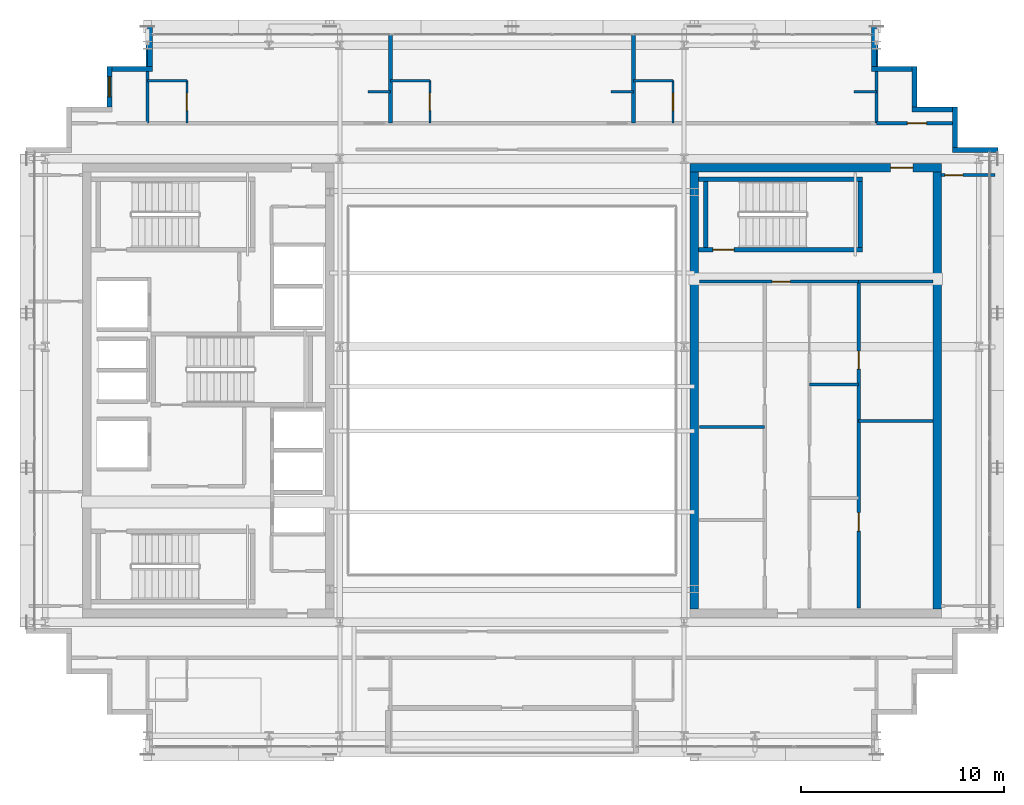
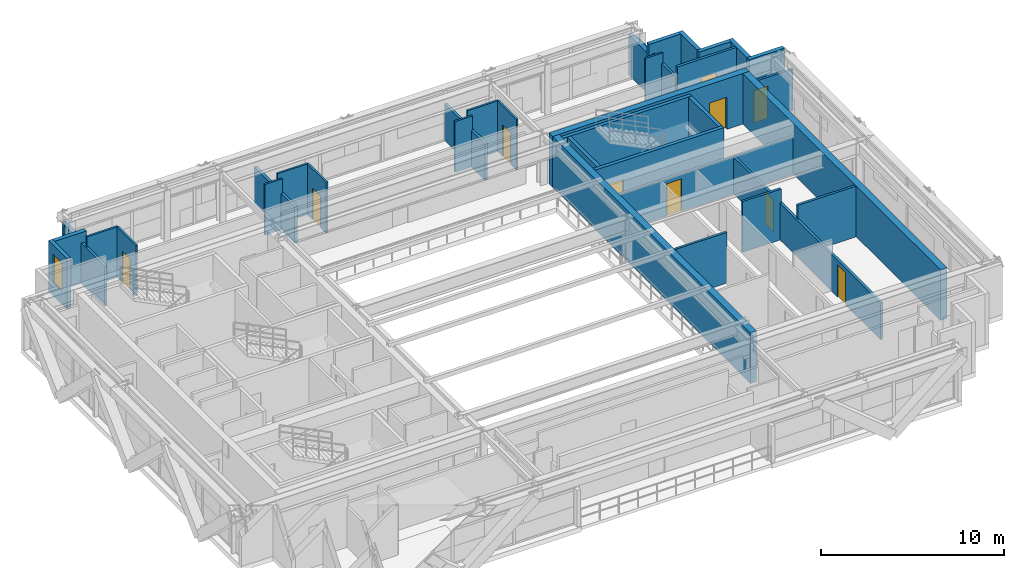
# One storey, part 24 of 29: 37 walls, 10 doors, 1 window, 11 openings.
"""IFC4 building model written with IfcOpenShell, lengths in metres."""

import ifcopenshell
import ifcopenshell.guid

model = None  # the IFC model being written
_history = None  # IfcOwnerHistory: only IFC2X3 demands one
_inside = {}  # id of a spatial element -> (the spatial element, [elements in it])
_under = {}  # id of a project, library or spatial element -> (it, [spatial elements below it])
_declared = {}  # id of a project -> (the project, [libraries it declares])
_typed = {}  # id of a type object -> (the type object, [elements of that type])
_made_of = {}  # id of a material, layer set ... -> (it, [elements and type objects made of it])


def new_model(schema):
    """Start an empty IFC model of exactly this schema.

    Asked for "IFC4X3", IfcOpenShell would pick the latest addendum, in which some entities
    have other attributes; the version numbers below select the first issue.
    IFC2X3 requires an IfcOwnerHistory on every rooted entity: one is made here for all.
    """
    global model, _history
    if schema == "IFC4X3":
        model = ifcopenshell.file(schema_version=(4, 3, 0, 0))
    else:
        model = ifcopenshell.file(schema=schema)
    _inside.clear()
    _under.clear()
    _declared.clear()
    _typed.clear()
    _made_of.clear()
    _history = None
    if model.schema == "IFC2X3":
        org = make("IfcOrganization", Name="unknown")
        user = make(
            "IfcPersonAndOrganization",
            ThePerson=make("IfcPerson", FamilyName="unknown"),
            TheOrganization=org,
        )
        app = make(
            "IfcApplication",
            ApplicationDeveloper=org,
            Version="unknown",
            ApplicationFullName="unknown",
            ApplicationIdentifier="unknown",
        )
        _history = make(
            "IfcOwnerHistory",
            OwningUser=user,
            OwningApplication=app,
            ChangeAction="ADDED",
            CreationDate=0,
        )
    return model


def make(cls, **values):
    """One entity of the class cls with the attributes given. An attribute that is None is left unset."""
    return model.create_entity(
        cls, **{name: value for name, value in values.items() if value is not None}
    )


def rooted(cls, **values):
    """An entity with a GlobalId (a new one), such as an element, a storey or a relation."""
    return make(cls, GlobalId=ifcopenshell.guid.new(), OwnerHistory=_history, **values)


def si_unit(unit_type, name, prefix=None):
    """IfcSIUnit, for example si_unit("LENGTHUNIT", "METRE", prefix="MILLI")."""
    return make("IfcSIUnit", UnitType=unit_type, Prefix=prefix, Name=name)


def assignment(units):
    """IfcUnitAssignment: the units of a project."""
    return None if units is None else make("IfcUnitAssignment", Units=units)


def point(xyz):
    """IfcCartesianPoint."""
    return None if xyz is None else make("IfcCartesianPoint", Coordinates=xyz)


def direction(xyz):
    """IfcDirection."""
    return None if xyz is None else make("IfcDirection", DirectionRatios=xyz)


def frame(location, z_axis=None, x_axis=None):
    """IfcAxis2Placement3D, a coordinate frame: its origin and axes. An axis left out is left unset."""
    return make(
        "IfcAxis2Placement3D",
        Location=point(location),
        Axis=direction(z_axis),
        RefDirection=direction(x_axis),
    )


def frame_2d(location, x_axis=None):
    """IfcAxis2Placement2D, a coordinate frame in the plane: its origin and x axis."""
    return make(
        "IfcAxis2Placement2D", Location=point(location), RefDirection=direction(x_axis)
    )


def origin():
    """The frame at (0, 0, 0) with its axes left unset."""
    return frame((0.0, 0.0, 0.0))


def place(relative_to, where):
    """IfcLocalPlacement: puts the frame where relative to a parent placement (None: the world)."""
    return make(
        "IfcLocalPlacement", PlacementRelTo=relative_to, RelativePlacement=where
    )


def context(
    kind, dimensions, precision=None, world=None, true_north=None, identifier=None
):
    """IfcGeometricRepresentationContext, for example the 3D "Model" context."""
    return make(
        "IfcGeometricRepresentationContext",
        ContextIdentifier=identifier,
        ContextType=kind,
        CoordinateSpaceDimension=dimensions,
        Precision=precision,
        WorldCoordinateSystem=world,
        TrueNorth=true_north,
    )


def subcontext(parent, identifier, kind, view, scale=None):
    """IfcGeometricRepresentationSubContext, for example "Body" below "Model"."""
    return make(
        "IfcGeometricRepresentationSubContext",
        ContextIdentifier=identifier,
        ContextType=kind,
        ParentContext=parent,
        TargetScale=scale,
        TargetView=view,
    )


def project(units=None, contexts=None):
    """IfcProject with its units and contexts."""
    return rooted(
        "IfcProject",
        Name="project",
        RepresentationContexts=contexts,
        UnitsInContext=assignment(units),
    )


def spatial(cls, under=None, at=None, **own):
    """A site, building, storey or space (cls), placed at a placement, below another one or the project."""
    s = rooted(cls, ObjectPlacement=at, **own)
    if under is not None:
        _under.setdefault(under.id(), (under, []))[1].append(s)
    return s


def profile(cls, at=None, kind="AREA", **sizes):
    """A parametric profile (cls). Its sizes go by their IFC names, for example OverallWidth=200.0."""
    return make(cls, ProfileType=kind, Position=at, **sizes)


def rectangle(**sizes):
    """IfcRectangleProfileDef."""
    return profile("IfcRectangleProfileDef", **sizes)


def extrude(swept, where, along, depth):
    """IfcExtrudedAreaSolid: the profile swept, set in the frame where, extruded along a direction by depth."""
    return make(
        "IfcExtrudedAreaSolid",
        SweptArea=swept,
        Position=where,
        ExtrudedDirection=direction(along),
        Depth=depth,
    )


def shape(context_of_items, identifier, shape_type, items):
    """IfcShapeRepresentation: the items that make up one representation, for example the "Body"."""
    return make(
        "IfcShapeRepresentation",
        ContextOfItems=context_of_items,
        RepresentationIdentifier=identifier,
        RepresentationType=shape_type,
        Items=items,
    )


def source(mapping_origin, context_of_items, identifier, shape_type, items):
    """IfcRepresentationMap: a shape defined once, which mapped items show again and again."""
    return make(
        "IfcRepresentationMap",
        MappingOrigin=mapping_origin,
        MappedRepresentation=shape(context_of_items, identifier, shape_type, items),
    )


def transform(
    local_origin,
    x_axis=None,
    y_axis=None,
    z_axis=None,
    scale=None,
    scale2=None,
    scale3=None,
    uniform=True,
):
    """IfcCartesianTransformationOperator3D, or its non-uniform kind. x_axis, y_axis, z_axis: its Axis1, 2, 3."""
    if uniform:
        return make(
            "IfcCartesianTransformationOperator3D",
            Axis1=direction(x_axis),
            Axis2=direction(y_axis),
            LocalOrigin=point(local_origin),
            Scale=scale,
            Axis3=direction(z_axis),
        )
    return make(
        "IfcCartesianTransformationOperator3DnonUniform",
        Axis1=direction(x_axis),
        Axis2=direction(y_axis),
        LocalOrigin=point(local_origin),
        Scale=scale,
        Axis3=direction(z_axis),
        Scale2=scale2,
        Scale3=scale3,
    )


def mapped(mapping_source, mapping_target):
    """IfcMappedItem: shows the shape of a source again, moved by a transform."""
    return make(
        "IfcMappedItem", MappingSource=mapping_source, MappingTarget=mapping_target
    )


def material(Name=None, Category=None):
    """IfcMaterial."""
    return make("IfcMaterial", Name=Name, Category=Category)


def layer(
    of_material, thickness, ventilated=None, Name=None, Category=None, Priority=None
):
    """IfcMaterialLayer: one layer of a wall or slab, of a material (None: an air gap)."""
    return make(
        "IfcMaterialLayer",
        Material=of_material,
        LayerThickness=thickness,
        IsVentilated=ventilated,
        Name=Name,
        Category=Category,
        Priority=Priority,
    )


def layer_set(layers, Name=None):
    """IfcMaterialLayerSet."""
    return make("IfcMaterialLayerSet", MaterialLayers=layers, LayerSetName=Name)


def made_of(thing, what):
    """Note that an element or type object is made of a material, layer set ...; save() writes the relation."""
    if what is not None:
        _made_of.setdefault(what.id(), (what, []))[1].append(thing)
    return thing


def type_object(cls, material=None, **own):
    """A type object (cls), such as IfcWallType, which elements share."""
    return made_of(rooted(cls, **own), material)


def element(
    cls,
    number,
    at=None,
    inside=None,
    cuts=None,
    type_object=None,
    material=None,
    context=None,
    identifier="Body",
    shape_type=None,
    held_by="IfcProductDefinitionShape",
    body=None,
    shapes=None,
    **own,
):
    """One element of the class cls, such as IfcWall. Its Tag is "e" and its number.

    at: its placement. inside: the storey or other place that contains it. cuts: it is an
    opening in that element (IfcRelVoidsElement). A single representation is given by context,
    identifier, shape_type and body (its items); several are given by shapes. held_by: the class
    of the entity that holds the representations. save() writes the other relations.
    """
    e = rooted(cls, Tag="e%d" % number, ObjectPlacement=at, **own)
    if body is not None:
        shapes = [shape(context, identifier, shape_type, body)]
    if shapes is not None:
        e.Representation = make(held_by, Representations=shapes)
    if inside is not None:
        _inside.setdefault(inside.id(), (inside, []))[1].append(e)
    if cuts is not None:
        rooted(
            "IfcRelVoidsElement", RelatingBuildingElement=cuts, RelatedOpeningElement=e
        )
    if type_object is not None:
        _typed.setdefault(type_object.id(), (type_object, []))[1].append(e)
    return made_of(e, material)


def fill(opening, filler):
    """IfcRelFillsElement: the door or window that sits in an opening."""
    return rooted(
        "IfcRelFillsElement",
        RelatingOpeningElement=opening,
        RelatedBuildingElement=filler,
    )


def aggregate(whole, parts):
    """IfcRelAggregates: a whole, such as a stair, and the parts it consists of."""
    return rooted("IfcRelAggregates", RelatingObject=whole, RelatedObjects=parts)


def save(model, path):
    """Write the relations noted so far, then the file.

    IfcRelAggregates (storeys below a building ...), IfcRelContainedInSpatialStructure (elements
    in a storey), IfcRelDefinesByType, IfcRelAssociatesMaterial and IfcRelDeclares: one each for
    every whole, place, type object, material and project.
    """
    for whole, parts in _under.values():
        aggregate(whole, parts)
    for where, things in _inside.values():
        rooted(
            "IfcRelContainedInSpatialStructure",
            RelatedElements=things,
            RelatingStructure=where,
        )
    for kind, things in _typed.values():
        rooted("IfcRelDefinesByType", RelatedObjects=things, RelatingType=kind)
    for what, things in _made_of.values():
        rooted("IfcRelAssociatesMaterial", RelatedObjects=things, RelatingMaterial=what)
    for by, libraries in _declared.values():
        rooted("IfcRelDeclares", RelatingContext=by, RelatedDefinitions=libraries)
    model.write(path)


model = new_model("IFC4")

# Units and contexts
model_context = context("Model", 3, precision=1e-05, world=origin(), true_north=direction((0.0, 1.0)))
body_context = subcontext(model_context, "Body", "Model", "MODEL_VIEW")
ifc_project = project(units=[si_unit("LENGTHUNIT", "METRE"), si_unit("AREAUNIT", "SQUARE_METRE"), si_unit("VOLUMEUNIT", "CUBIC_METRE"), si_unit("PLANEANGLEUNIT", "RADIAN"), si_unit("MASSUNIT", "GRAM", prefix="KILO")], contexts=[model_context])

# Site, building, storey
site_placement = place(None, origin())
site = spatial("IfcSite", under=ifc_project, at=site_placement, CompositionType="ELEMENT")
building_placement = place(site_placement, origin())
building = spatial("IfcBuilding", under=site, at=building_placement, Name="Ocotamira Hotel", CompositionType="ELEMENT")
storey_placement = place(building_placement, frame((0.0, 0.0, 247.199951171875)))
storey = spatial("IfcBuildingStorey", under=building, at=storey_placement, Name="L62", CompositionType="ELEMENT", Elevation=247.199951171875)

# Wall, opening, door
ifc_material_1 = material(Name="Concrete C50/60", Category="concrete")
ifc_layer_1 = layer(ifc_material_1, 0.39990234375)
ifc_layer_set_1 = layer_set([ifc_layer_1], Name="Concrete C50/60")
wall_type_1 = type_object("IfcWallType", Name="WL-CORE-400", PredefinedType="SHEAR", material=ifc_layer_set_1)
wall_1_placement = place(storey_placement, frame((40.800048828125, 37.0, 0.0), z_axis=(0.0, 0.0, 1.0), x_axis=(1.0, 0.0, 0.0)))
wall_1 = element("IfcWall", 1, at=wall_1_placement, inside=storey, type_object=wall_type_1, Name="L62 Shear Core Wall ECORE-N", PredefinedType="SHEAR", context=body_context, shape_type="SweptSolid", body=[
    extrude(rectangle(XDim=12.39990234375, YDim=0.39990234375, at=frame_2d((6.199951171875, 0.0))), origin(), (0.0, 0.0, 1.0), 3.380126953125),
])
opening_1_placement = place(wall_1_placement, frame((9.89990234375, 0.0, 0.0)))
opening_1 = element("IfcOpeningElement", 2, at=opening_1_placement, cuts=wall_1, Name="Opening D-FR1", PredefinedType="OPENING", context=body_context, shape_type="SweptSolid", body=[
    extrude(rectangle(XDim=1.10009765625, YDim=2.14990234375, at=frame_2d((0.550048828125, 1.074951171875))), frame((0.0, 0.2099609375, 0.0), z_axis=(0.0, -1.0, 0.0), x_axis=(1.0, 0.0, 0.0)), (0.0, 0.0, 1.0), 0.419921875),
])
ifc_material_2 = material(Name="Fire-rated acoustic timber-veneer door", Category="wood")
door_type_1 = type_object("IfcDoorType", Name="DR-FIRE-1100", OperationType="NOTDEFINED", PredefinedType="DOOR", material=ifc_material_2)
shared_shape_1 = source(origin(), body_context, "Body", "SweptSolid", [
    extrude(rectangle(XDim=1.10009765625, YDim=2.14990234375, at=frame_2d((0.550048828125, 1.074951171875))), frame((0.0, 0.02490234375, 0.0), z_axis=(0.0, -1.0, 0.0), x_axis=(1.0, 0.0, 0.0)), (0.0, 0.0, 1.0), 0.050048828125),
])
door_1_placement = place(opening_1_placement, origin())
door_1 = element("IfcDoor", 3, at=door_1_placement, inside=storey, type_object=door_type_1, Name="L62 Door ID-L62-ELOB-N-D [ID-L62-ELOB-N-D]", OperationType="SINGLE_SWING_LEFT", OverallHeight=2.14990234375, OverallWidth=1.10009765625, PredefinedType="DOOR", context=body_context, shape_type="MappedRepresentation", body=[
    mapped(shared_shape_1, transform((0.0, 0.0, 0.0), scale=1.0)),
])
fill(opening_1, door_1)

# Walls
for number, where, z_axis, x_axis, name in (
    (4, (41.0, 15.199951171875, 0.0), (0.0, 0.0, 1.0), (0.0, 1.0, 0.0), "L62 Shear Core Wall ECORE-W"),
    (5, (53.0, 15.199951171875, 0.0), (0.0, 0.0, 1.0), (0.0, 1.0, 0.0), "L62 Shear Core Wall ECORE-E"),
):
    element("IfcWall", number, at=place(storey_placement, frame(where, z_axis=z_axis, x_axis=x_axis)), inside=storey, type_object=wall_type_1, Name=name, PredefinedType="SHEAR", context=body_context, shape_type="SweptSolid", body=[
        extrude(rectangle(XDim=21.60009765625, YDim=0.39990234375, at=frame_2d((10.800048828125, 0.0))), origin(), (0.0, 0.0, 1.0), 3.380126953125),
    ])
ifc_material_3 = material(Name="Precast concrete C45/55", Category="concrete")
ifc_layer_2 = layer(ifc_material_3, 0.25)
ifc_layer_set_2 = layer_set([ifc_layer_2], Name="Precast concrete C45/55")
wall_type_2 = type_object("IfcWallType", Name="WL-EXT-SER-250", PredefinedType="SOLIDWALL", material=ifc_layer_set_2)
wall_2_placement = place(storey_placement, frame((56.0, 37.875, 0.0), z_axis=(0.0, 0.0, 1.0), x_axis=(-1.0, 0.0, 0.0)))
element("IfcWall", 6, at=wall_2_placement, inside=storey, type_object=wall_type_2, Name="L62 Serrated Corner Wall 07", PredefinedType="SOLIDWALL", context=body_context, shape_type="SweptSolid", body=[
    extrude(rectangle(XDim=2.25, YDim=0.25, at=frame_2d((1.125, 0.0))), origin(), (0.0, 0.0, 1.0), 3.380126953125),
])
for number, where, z_axis, x_axis, name in (
    (7, (53.875, 38.0, 0.0), (0.0, 0.0, 1.0), (0.0, 1.0, 0.0), "L62 Serrated Corner Wall 08"),
    (8, (53.75, 39.875, 0.0), (0.0, 0.0, 1.0), (-1.0, 0.0, 0.0), "L62 Serrated Corner Wall 09"),
    (9, (51.875, 40.0, 0.0), (0.0, 0.0, 1.0), (0.0, 1.0, 0.0), "L62 Serrated Corner Wall 10"),
    (10, (51.75, 41.875, 0.0), (0.0, 0.0, 1.0), (-1.0, 0.0, 0.0), "L62 Serrated Corner Wall 11"),
):
    element("IfcWall", number, at=place(storey_placement, frame(where, z_axis=z_axis, x_axis=x_axis)), inside=storey, type_object=wall_type_2, Name=name, PredefinedType="SOLIDWALL", context=body_context, shape_type="SweptSolid", body=[
        extrude(rectangle(XDim=2.0, YDim=0.25, at=frame_2d((1.0, 0.0))), origin(), (0.0, 0.0, 1.0), 3.380126953125),
    ])
for number, where, z_axis, x_axis, name in (
    (11, (49.875, 42.0, 0.0), (0.0, 0.0, 1.0), (0.0, 1.0, 0.0), "L62 Serrated Corner Wall 12"),
    (12, (14.125, 44.0, 0.0), (0.0, 0.0, 1.0), (0.0, -1.0, 0.0), "L62 Serrated Corner Wall 13"),
):
    element("IfcWall", number, at=place(storey_placement, frame(where, z_axis=z_axis, x_axis=x_axis)), inside=storey, type_object=wall_type_2, Name=name, PredefinedType="SOLIDWALL", context=body_context, shape_type="SweptSolid", body=[
        extrude(rectangle(XDim=2.0, YDim=0.25, at=frame_2d((1.0, 0.0))), origin(), (0.0, 0.0, 1.0), 2.68701171875),
    ])
wall_3_placement = place(storey_placement, frame((14.25, 41.875, 0.0), z_axis=(0.0, 0.0, 1.0), x_axis=(-1.0, 0.0, 0.0)))
element("IfcWall", 13, at=wall_3_placement, inside=storey, type_object=wall_type_2, Name="L62 Serrated Corner Wall 14", PredefinedType="SOLIDWALL", context=body_context, shape_type="SweptSolid", body=[
    extrude(rectangle(XDim=2.0, YDim=0.25, at=frame_2d((1.0, 0.0))), origin(), (0.0, 0.0, 1.0), 3.380126953125),
])

# Wall, opening, window
wall_4_placement = place(storey_placement, frame((12.125, 42.0, 0.0), z_axis=(0.0, 0.0, 1.0), x_axis=(0.0, -1.0, 0.0)))
wall_4 = element("IfcWall", 14, at=wall_4_placement, inside=storey, type_object=wall_type_2, Name="L62 Serrated Corner Wall 15", PredefinedType="SOLIDWALL", context=body_context, shape_type="SweptSolid", body=[
    extrude(rectangle(XDim=2.0, YDim=0.25, at=frame_2d((1.0, 0.0))), origin(), (0.0, 0.0, 1.0), 3.380126953125),
])
opening_2_placement = place(wall_4_placement, frame((0.5, 0.0, 0.85009765625)))
opening_2 = element("IfcOpeningElement", 15, at=opening_2_placement, cuts=wall_4, Name="Opening WN-2", PredefinedType="OPENING", context=body_context, shape_type="SweptSolid", body=[
    extrude(rectangle(XDim=1.0, YDim=1.89990234375, at=frame_2d((0.5, 0.949951171875))), frame((0.0, 0.135009765625, 0.0), z_axis=(0.0, -1.0, 0.0), x_axis=(1.0, 0.0, 0.0)), (0.0, 0.0, 1.0), 0.27001953125),
])
ifc_material_4 = material(Name="Double-silver low-E solar glass", Category="glass")
window_type = type_object("IfcWindowType", Name="WIN-SER-1100", PartitioningType="SINGLE_PANEL", PredefinedType="WINDOW", material=ifc_material_4)
shared_shape_2 = source(origin(), body_context, "Body", "SweptSolid", [
    extrude(rectangle(XDim=1.0, YDim=1.89990234375, at=frame_2d((0.5, 0.949951171875))), frame((0.0, 0.030029296875, 0.0), z_axis=(0.0, -1.0, 0.0), x_axis=(1.0, 0.0, 0.0)), (0.0, 0.0, 1.0), 0.06005859375),
])
window_placement = place(opening_2_placement, origin())
window = element("IfcWindow", 16, at=window_placement, inside=storey, type_object=window_type, Name="L62 Serrated Corner Window 15", OverallHeight=1.89990234375, OverallWidth=1.0, PartitioningType="SINGLE_PANEL", PredefinedType="WINDOW", context=body_context, shape_type="MappedRepresentation", body=[
    mapped(shared_shape_2, transform((0.0, 0.0, 0.0), scale=1.0)),
])
fill(opening_2, window)

# Wall
ifc_material_5 = material(Name="Acoustic double-layer fire gypsum board partition", Category="gypsum")
ifc_layer_3 = layer(ifc_material_5, 0.159912109375)
ifc_layer_set_3 = layer_set([ifc_layer_3], Name="Acoustic double-layer fire gypsum board partition")
wall_type_3 = type_object("IfcWallType", Name="WL-FIRE-160", PredefinedType="PARTITIONING", material=ifc_layer_set_3)
wall_5_placement = place(storey_placement, frame((49.1201171875, 31.3798828125, 0.0), z_axis=(0.0, 0.0, 1.0), x_axis=(1.0, 0.0, 0.0)))
element("IfcWall", 17, at=wall_5_placement, inside=storey, type_object=wall_type_3, Name="L62 Interior Wall PW-L62-EC-FLOW-N", PredefinedType="PARTITIONING", context=body_context, shape_type="SweptSolid", body=[
    extrude(rectangle(XDim=3.679931640625, YDim=0.159912109375, at=frame_2d((1.83984375, 0.0))), origin(), (0.0, 0.0, 1.0), 2.47998046875),
])

# Wall, openings, doors
wall_6_placement = place(storey_placement, frame((49.1201171875, 15.25, 0.0), z_axis=(0.0, 0.0, 1.0), x_axis=(0.0, 1.0, 0.0)))
wall_6 = element("IfcWall", 18, at=wall_6_placement, inside=storey, type_object=wall_type_3, Name="L62 Interior Wall PW-L62-EC-FLOW-W", PredefinedType="PARTITIONING", context=body_context, shape_type="SweptSolid", body=[
    extrude(rectangle(XDim=16.1298828125, YDim=0.159912109375, at=frame_2d((8.06494140625, 0.0))), origin(), (0.0, 0.0, 1.0), 2.453125),
])
opening_3_placement = place(wall_6_placement, frame((3.800048828125, 0.0, 0.0)))
opening_3 = element("IfcOpeningElement", 19, at=opening_3_placement, cuts=wall_6, Name="Opening D-SV3", PredefinedType="OPENING", context=body_context, shape_type="SweptSolid", body=[
    extrude(rectangle(XDim=0.919921875, YDim=2.14990234375, at=frame_2d((0.4599609375, 1.074951171875))), frame((0.0, 0.08984375, 0.0), z_axis=(0.0, -1.0, 0.0), x_axis=(1.0, 0.0, 0.0)), (0.0, 0.0, 1.0), 0.179931640625),
])
opening_4_placement = place(wall_6_placement, frame((11.800048828125, 0.0, 0.0)))
opening_4 = element("IfcOpeningElement", 20, at=opening_4_placement, cuts=wall_6, Name="Opening D-IN3", PredefinedType="OPENING", context=body_context, shape_type="SweptSolid", body=[
    extrude(rectangle(XDim=0.89990234375, YDim=2.14990234375, at=frame_2d((0.449951171875, 1.074951171875))), frame((0.0, 0.08984375, 0.0), z_axis=(0.0, -1.0, 0.0), x_axis=(1.0, 0.0, 0.0)), (0.0, 0.0, 1.0), 0.179931640625),
])
ifc_material_6 = material(Name="Painted service room door", Category="steel")
door_type_2 = type_object("IfcDoorType", Name="DR-INT-900", OperationType="NOTDEFINED", PredefinedType="DOOR", material=ifc_material_6)
shared_shape_3 = source(origin(), body_context, "Body", "SweptSolid", [
    extrude(rectangle(XDim=0.89990234375, YDim=2.14990234375, at=frame_2d((0.449951171875, 1.074951171875))), frame((0.0, 0.02490234375, 0.0), z_axis=(0.0, -1.0, 0.0), x_axis=(1.0, 0.0, 0.0)), (0.0, 0.0, 1.0), 0.050048828125),
])
door_2_placement = place(opening_4_placement, origin())
door_2 = element("IfcDoor", 21, at=door_2_placement, inside=storey, type_object=door_type_2, Name="L62 Door ID-L62-EC-FLOW-DB [ID-L62-EC-FLOW-DB]", OperationType="SINGLE_SWING_RIGHT", OverallHeight=2.14990234375, OverallWidth=0.89990234375, PredefinedType="DOOR", context=body_context, shape_type="MappedRepresentation", body=[
    mapped(shared_shape_3, transform((0.0, 0.0, 0.0), scale=1.0)),
])
fill(opening_4, door_2)
ifc_material_7 = material(Name="Fire-rated walnut hospitality door", Category="wood")
door_type_3 = type_object("IfcDoorType", Name="DR-SERV-920", OperationType="NOTDEFINED", PredefinedType="DOOR", material=ifc_material_7)
shared_shape_4 = source(origin(), body_context, "Body", "SweptSolid", [
    extrude(rectangle(XDim=0.919921875, YDim=2.14990234375, at=frame_2d((0.4599609375, 1.074951171875))), frame((0.0, 0.02490234375, 0.0), z_axis=(0.0, -1.0, 0.0), x_axis=(1.0, 0.0, 0.0)), (0.0, 0.0, 1.0), 0.050048828125),
])
door_3_placement = place(opening_3_placement, origin())
door_3 = element("IfcDoor", 22, at=door_3_placement, inside=storey, type_object=door_type_3, Name="L62 Door ID-L62-EC-FLOW-DA [ID-L62-EC-FLOW-DA]", OperationType="SINGLE_SWING_LEFT", OverallHeight=2.14990234375, OverallWidth=0.919921875, PredefinedType="DOOR", context=body_context, shape_type="MappedRepresentation", body=[
    mapped(shared_shape_4, transform((0.0, 0.0, 0.0), scale=1.0)),
])
fill(opening_3, door_3)

# Wall, opening, door
wall_7_placement = place(storey_placement, frame((50.0, 39.199951171875, 0.0), z_axis=(0.0, 0.0, 1.0), x_axis=(1.0, 0.0, 0.0)))
wall_7 = element("IfcWall", 23, at=wall_7_placement, inside=storey, type_object=wall_type_3, Name="L62 Interior Wall PW-L62-Z4CNE-CW", PredefinedType="PARTITIONING", context=body_context, shape_type="SweptSolid", body=[
    extrude(rectangle(XDim=4.0, YDim=0.159912109375, at=frame_2d((2.0, 0.0))), origin(), (0.0, 0.0, 1.0), 3.380126953125),
])
opening_5_placement = place(wall_7_placement, frame((1.52001953125, 0.0, 0.0)))
opening_5 = element("IfcOpeningElement", 24, at=opening_5_placement, cuts=wall_7, Name="Opening D-SV4", PredefinedType="OPENING", context=body_context, shape_type="SweptSolid", body=[
    extrude(rectangle(XDim=0.9599609375, YDim=2.14990234375, at=frame_2d((0.47998046875, 1.074951171875))), frame((0.0, 0.08984375, 0.0), z_axis=(0.0, -1.0, 0.0), x_axis=(1.0, 0.0, 0.0)), (0.0, 0.0, 1.0), 0.179931640625),
])
ifc_material_8 = material(Name="Fire-rated accessible walnut salon door", Category="wood")
door_type_4 = type_object("IfcDoorType", Name="DR-SERV-960", OperationType="NOTDEFINED", PredefinedType="DOOR", material=ifc_material_8)
shared_shape_5 = source(origin(), body_context, "Body", "SweptSolid", [
    extrude(rectangle(XDim=0.9599609375, YDim=2.14990234375, at=frame_2d((0.47998046875, 1.074951171875))), frame((0.0, 0.02490234375, 0.0), z_axis=(0.0, -1.0, 0.0), x_axis=(1.0, 0.0, 0.0)), (0.0, 0.0, 1.0), 0.050048828125),
])
door_4_placement = place(opening_5_placement, origin())
door_4 = element("IfcDoor", 25, at=door_4_placement, inside=storey, type_object=door_type_4, Name="L62 Door ID-L62-Z4CNE-CD [ID-L62-Z4CNE-CD]", OperationType="SINGLE_SWING_LEFT", OverallHeight=2.14990234375, OverallWidth=0.9599609375, PredefinedType="DOOR", context=body_context, shape_type="MappedRepresentation", body=[
    mapped(shared_shape_5, transform((0.0, 0.0, 0.0), scale=1.0)),
])
fill(opening_5, door_4)

ifc_material_9 = material(Name="Moisture-resistant en-suite tile and gypsum partition", Category="gypsum")
ifc_layer_4 = layer(ifc_material_9, 0.1201171875)
ifc_layer_set_4 = layer_set([ifc_layer_4], Name="Moisture-resistant en-suite tile and gypsum partition")
wall_type_4 = type_object("IfcWallType", Name="WL-PART-120", PredefinedType="PARTITIONING", material=ifc_layer_set_4)
wall_8_placement = place(storey_placement, frame((15.949951171875, 39.199951171875, 0.0), z_axis=(0.0, 0.0, 1.0), x_axis=(0.0, 1.0, 0.0)))
wall_8 = element("IfcWall", 26, at=wall_8_placement, inside=storey, type_object=wall_type_4, Name="L62 Interior Wall PW-L62-Z4CN-BAE1", PredefinedType="PARTITIONING", context=body_context, shape_type="SweptSolid", body=[
    extrude(rectangle(XDim=2.10009765625, YDim=0.1201171875, at=frame_2d((1.050048828125, 0.0))), origin(), (0.0, 0.0, 1.0), 3.380126953125),
])
opening_6_placement = place(wall_8_placement, frame((0.6201171875, 0.0, 0.0)))
opening_6 = element("IfcOpeningElement", 27, at=opening_6_placement, cuts=wall_8, Name="Opening D-BA1", PredefinedType="OPENING", context=body_context, shape_type="SweptSolid", body=[
    extrude(rectangle(XDim=0.860107421875, YDim=2.10009765625, at=frame_2d((0.43017578125, 1.050048828125))), frame((0.0, 0.070068359375, 0.0), z_axis=(0.0, -1.0, 0.0), x_axis=(1.0, 0.0, 0.0)), (0.0, 0.0, 1.0), 0.14013671875),
])
ifc_material_10 = material(Name="Moisture-sealed en-suite timber door", Category="wood")
door_type_5 = type_object("IfcDoorType", Name="DR-BATH-860", OperationType="NOTDEFINED", PredefinedType="DOOR", material=ifc_material_10)
shared_shape_6 = source(origin(), body_context, "Body", "SweptSolid", [
    extrude(rectangle(XDim=0.860107421875, YDim=2.10009765625, at=frame_2d((0.43017578125, 1.050048828125))), frame((0.0, 0.02490234375, 0.0), z_axis=(0.0, -1.0, 0.0), x_axis=(1.0, 0.0, 0.0)), (0.0, 0.0, 1.0), 0.050048828125),
])
door_5_placement = place(opening_6_placement, origin())
door_5 = element("IfcDoor", 28, at=door_5_placement, inside=storey, type_object=door_type_5, Name="L62 Door ID-L62-Z4CN-BAD1 [ID-L62-Z4CN-BAD1]", OperationType="SINGLE_SWING_RIGHT", OverallHeight=2.10009765625, OverallWidth=0.860107421875, PredefinedType="DOOR", context=body_context, shape_type="MappedRepresentation", body=[
    mapped(shared_shape_6, transform((0.0, 0.0, 0.0), scale=1.0)),
])
fill(opening_6, door_5)

# Walls
wall_9_placement = place(storey_placement, frame((14.0, 41.300048828125, 0.0), z_axis=(0.0, 0.0, 1.0), x_axis=(1.0, 0.0, 0.0)))
element("IfcWall", 29, at=wall_9_placement, inside=storey, type_object=wall_type_4, Name="L62 Interior Wall PW-L62-Z4CN-BAN1", PredefinedType="PARTITIONING", context=body_context, shape_type="SweptSolid", body=[
    extrude(rectangle(XDim=1.949951171875, YDim=0.1201171875, at=frame_2d((0.97509765625, 0.0))), origin(), (0.0, 0.0, 1.0), 3.380126953125),
])
wall_10_placement = place(storey_placement, frame((24.89990234375, 40.75, 0.0), z_axis=(0.0, 0.0, 1.0), x_axis=(1.0, 0.0, 0.0)))
element("IfcWall", 30, at=wall_10_placement, inside=storey, type_object=wall_type_4, Name="L62 Interior Wall PW-L62-Z4CN-DRN1", PredefinedType="PARTITIONING", context=body_context, shape_type="SweptSolid", body=[
    extrude(rectangle(XDim=1.10009765625, YDim=0.1201171875, at=frame_2d((0.550048828125, 0.0))), origin(), (0.0, 0.0, 1.0), 3.380126953125),
])

# Wall, opening, door
wall_11_placement = place(storey_placement, frame((27.949951171875, 39.199951171875, 0.0), z_axis=(0.0, 0.0, 1.0), x_axis=(0.0, 1.0, 0.0)))
wall_11 = element("IfcWall", 31, at=wall_11_placement, inside=storey, type_object=wall_type_4, Name="L62 Interior Wall PW-L62-Z4CN-BAE2", PredefinedType="PARTITIONING", context=body_context, shape_type="SweptSolid", body=[
    extrude(rectangle(XDim=2.10009765625, YDim=0.1201171875, at=frame_2d((1.050048828125, 0.0))), origin(), (0.0, 0.0, 1.0), 3.380126953125),
])
opening_7_placement = place(wall_11_placement, frame((0.6201171875, 0.0, 0.0)))
opening_7 = element("IfcOpeningElement", 32, at=opening_7_placement, cuts=wall_11, Name="Opening D-BA1", PredefinedType="OPENING", context=body_context, shape_type="SweptSolid", body=[
    extrude(rectangle(XDim=0.860107421875, YDim=2.10009765625, at=frame_2d((0.43017578125, 1.050048828125))), frame((0.0, 0.070068359375, 0.0), z_axis=(0.0, -1.0, 0.0), x_axis=(1.0, 0.0, 0.0)), (0.0, 0.0, 1.0), 0.14013671875),
])
door_6_placement = place(opening_7_placement, origin())
door_6 = element("IfcDoor", 33, at=door_6_placement, inside=storey, type_object=door_type_5, Name="L62 Door ID-L62-Z4CN-BAD2 [ID-L62-Z4CN-BAD2]", OperationType="SINGLE_SWING_LEFT", OverallHeight=2.10009765625, OverallWidth=0.860107421875, PredefinedType="DOOR", context=body_context, shape_type="MappedRepresentation", body=[
    mapped(shared_shape_6, transform((0.0, 0.0, 0.0), scale=1.0)),
])
fill(opening_7, door_6)

# Walls
wall_12_placement = place(storey_placement, frame((26.0, 41.300048828125, 0.0), z_axis=(0.0, 0.0, 1.0), x_axis=(1.0, 0.0, 0.0)))
element("IfcWall", 34, at=wall_12_placement, inside=storey, type_object=wall_type_4, Name="L62 Interior Wall PW-L62-Z4CN-BAN2", PredefinedType="PARTITIONING", context=body_context, shape_type="SweptSolid", body=[
    extrude(rectangle(XDim=1.949951171875, YDim=0.1201171875, at=frame_2d((0.97509765625, 0.0))), origin(), (0.0, 0.0, 1.0), 3.380126953125),
])
wall_13_placement = place(storey_placement, frame((36.89990234375, 40.75, 0.0), z_axis=(0.0, 0.0, 1.0), x_axis=(1.0, 0.0, 0.0)))
element("IfcWall", 35, at=wall_13_placement, inside=storey, type_object=wall_type_4, Name="L62 Interior Wall PW-L62-Z4CN-DRN2", PredefinedType="PARTITIONING", context=body_context, shape_type="SweptSolid", body=[
    extrude(rectangle(XDim=1.10009765625, YDim=0.1201171875, at=frame_2d((0.550048828125, 0.0))), origin(), (0.0, 0.0, 1.0), 3.380126953125),
])

# Wall, opening, door
wall_14_placement = place(storey_placement, frame((39.949951171875, 39.199951171875, 0.0), z_axis=(0.0, 0.0, 1.0), x_axis=(0.0, 1.0, 0.0)))
wall_14 = element("IfcWall", 36, at=wall_14_placement, inside=storey, type_object=wall_type_4, Name="L62 Interior Wall PW-L62-Z4CN-BAE3", PredefinedType="PARTITIONING", context=body_context, shape_type="SweptSolid", body=[
    extrude(rectangle(XDim=2.10009765625, YDim=0.1201171875, at=frame_2d((1.050048828125, 0.0))), origin(), (0.0, 0.0, 1.0), 3.380126953125),
])
opening_8_placement = place(wall_14_placement, frame((0.6201171875, 0.0, 0.0)))
opening_8 = element("IfcOpeningElement", 37, at=opening_8_placement, cuts=wall_14, Name="Opening D-BA1", PredefinedType="OPENING", context=body_context, shape_type="SweptSolid", body=[
    extrude(rectangle(XDim=0.860107421875, YDim=2.10009765625, at=frame_2d((0.43017578125, 1.050048828125))), frame((0.0, 0.070068359375, 0.0), z_axis=(0.0, -1.0, 0.0), x_axis=(1.0, 0.0, 0.0)), (0.0, 0.0, 1.0), 0.14013671875),
])
door_7_placement = place(opening_8_placement, origin())
door_7 = element("IfcDoor", 38, at=door_7_placement, inside=storey, type_object=door_type_5, Name="L62 Door ID-L62-Z4CN-BAD3 [ID-L62-Z4CN-BAD3]", OperationType="SINGLE_SWING_RIGHT", OverallHeight=2.10009765625, OverallWidth=0.860107421875, PredefinedType="DOOR", context=body_context, shape_type="MappedRepresentation", body=[
    mapped(shared_shape_6, transform((0.0, 0.0, 0.0), scale=1.0)),
])
fill(opening_8, door_7)

# Walls
wall_15_placement = place(storey_placement, frame((38.0, 41.300048828125, 0.0), z_axis=(0.0, 0.0, 1.0), x_axis=(1.0, 0.0, 0.0)))
element("IfcWall", 39, at=wall_15_placement, inside=storey, type_object=wall_type_4, Name="L62 Interior Wall PW-L62-Z4CN-BAN3", PredefinedType="PARTITIONING", context=body_context, shape_type="SweptSolid", body=[
    extrude(rectangle(XDim=1.949951171875, YDim=0.1201171875, at=frame_2d((0.97509765625, 0.0))), origin(), (0.0, 0.0, 1.0), 3.380126953125),
])
wall_16_placement = place(storey_placement, frame((48.89990234375, 40.75, 0.0), z_axis=(0.0, 0.0, 1.0), x_axis=(1.0, 0.0, 0.0)))
element("IfcWall", 40, at=wall_16_placement, inside=storey, type_object=wall_type_4, Name="L62 Interior Wall PW-L62-Z4CN-DRN3", PredefinedType="PARTITIONING", context=body_context, shape_type="SweptSolid", body=[
    extrude(rectangle(XDim=1.10009765625, YDim=0.1201171875, at=frame_2d((0.550048828125, 0.0))), origin(), (0.0, 0.0, 1.0), 3.380126953125),
])
ifc_material_11 = material(Name="Acoustic hospitality gypsum board partition", Category="gypsum")
ifc_layer_5 = layer(ifc_material_11, 0.14208984375)
ifc_layer_set_5 = layer_set([ifc_layer_5], Name="Acoustic hospitality gypsum board partition")
wall_type_5 = type_object("IfcWallType", Name="WL-PART-142", PredefinedType="PARTITIONING", material=ifc_layer_set_5)
wall_17_placement = place(storey_placement, frame((46.679931640625, 26.300048828125, 0.0), z_axis=(0.0, 0.0, 1.0), x_axis=(1.0, 0.0, 0.0)))
element("IfcWall", 41, at=wall_17_placement, inside=storey, type_object=wall_type_5, Name="L62 Interior Wall PW-L62-EC-HDIVB", PredefinedType="PARTITIONING", context=body_context, shape_type="SweptSolid", body=[
    extrude(rectangle(XDim=2.440185546875, YDim=0.14208984375, at=frame_2d((1.22021484375, 0.0))), origin(), (0.0, 0.0, 1.0), 3.380126953125),
])
wall_18_placement = place(storey_placement, frame((41.25, 24.199951171875, 0.0), z_axis=(0.0, 0.0, 1.0), x_axis=(1.0, 0.0, 0.0)))
element("IfcWall", 42, at=wall_18_placement, inside=storey, type_object=wall_type_5, Name="L62 Interior Wall PW-L62-EC-FMD2", PredefinedType="PARTITIONING", context=body_context, shape_type="SweptSolid", body=[
    extrude(rectangle(XDim=3.22998046875, YDim=0.14208984375, at=frame_2d((1.614990234375, 0.0))), origin(), (0.0, 0.0, 1.0), 3.380126953125),
])

# Wall, opening, door
ifc_layer_6 = layer(ifc_material_11, 0.14990234375)
ifc_layer_set_6 = layer_set([ifc_layer_6], Name="Acoustic hospitality gypsum board partition")
wall_type_6 = type_object("IfcWallType", Name="WL-PART-150", PredefinedType="PARTITIONING", material=ifc_layer_set_6)
wall_19_placement = place(storey_placement, frame((41.25, 31.3798828125, 0.0), z_axis=(0.0, 0.0, 1.0), x_axis=(1.0, 0.0, 0.0)))
wall_19 = element("IfcWall", 43, at=wall_19_placement, inside=storey, type_object=wall_type_6, Name="L62 Interior Wall PW-L62-EC-HMT-N", PredefinedType="PARTITIONING", context=body_context, shape_type="SweptSolid", body=[
    extrude(rectangle(XDim=7.8701171875, YDim=0.14990234375, at=frame_2d((3.93505859375, 0.0))), origin(), (0.0, 0.0, 1.0), 2.47998046875),
])
opening_9_placement = place(wall_19_placement, frame((3.60009765625, 0.0, 0.0)))
opening_9 = element("IfcOpeningElement", 44, at=opening_9_placement, cuts=wall_19, Name="Opening D-IN3", PredefinedType="OPENING", context=body_context, shape_type="SweptSolid", body=[
    extrude(rectangle(XDim=0.89990234375, YDim=2.14990234375, at=frame_2d((0.449951171875, 1.074951171875))), frame((0.0, 0.0849609375, 0.0), z_axis=(0.0, -1.0, 0.0), x_axis=(1.0, 0.0, 0.0)), (0.0, 0.0, 1.0), 0.169921875),
])
door_8_placement = place(opening_9_placement, origin())
door_8 = element("IfcDoor", 45, at=door_8_placement, inside=storey, type_object=door_type_2, Name="L62 Door ID-L62-EC-MGALD [ID-L62-EC-MGALD]", OperationType="SINGLE_SWING_LEFT", OverallHeight=2.14990234375, OverallWidth=0.89990234375, PredefinedType="DOOR", context=body_context, shape_type="MappedRepresentation", body=[
    mapped(shared_shape_3, transform((0.0, 0.0, 0.0), scale=1.0)),
])
fill(opening_9, door_8)

# Wall
wall_20_placement = place(storey_placement, frame((49.1201171875, 24.489990234375, 0.0), z_axis=(0.0, 0.0, 1.0), x_axis=(1.0, 0.0, 0.0)))
element("IfcWall", 46, at=wall_20_placement, inside=storey, type_object=wall_type_6, Name="L62 Interior Wall PW-L62-EC-FDIVA", PredefinedType="PARTITIONING", context=body_context, shape_type="SweptSolid", body=[
    extrude(rectangle(XDim=3.679931640625, YDim=0.14990234375, at=frame_2d((1.83984375, 0.0))), origin(), (0.0, 0.0, 1.0), 3.380126953125),
])

# Wall, opening, door
wall_21_placement = place(storey_placement, frame((53.179931640625, 36.639892578125, 0.0), z_axis=(0.0, 0.0, 1.0), x_axis=(1.0, 0.0, 0.0)))
wall_21 = element("IfcWall", 47, at=wall_21_placement, inside=storey, type_object=wall_type_6, Name="L62 Interior Wall PW-L62-Z4CE-WN", PredefinedType="PARTITIONING", context=body_context, shape_type="SweptSolid", body=[
    extrude(rectangle(XDim=2.66015625, YDim=0.14990234375, at=frame_2d((1.330078125, 0.0))), origin(), (0.0, 0.0, 1.0), 2.762939453125),
])
opening_10_placement = place(wall_21_placement, frame((0.199951171875, 0.0, 0.0)))
opening_10 = element("IfcOpeningElement", 48, at=opening_10_placement, cuts=wall_21, Name="Opening D-SV2", PredefinedType="OPENING", context=body_context, shape_type="SweptSolid", body=[
    extrude(rectangle(XDim=0.8798828125, YDim=2.14990234375, at=frame_2d((0.43994140625, 1.074951171875))), frame((0.0, 0.0849609375, 0.0), z_axis=(0.0, -1.0, 0.0), x_axis=(1.0, 0.0, 0.0)), (0.0, 0.0, 1.0), 0.169921875),
])
ifc_material_12 = material(Name="Fire-rated painted steel service door", Category="steel")
door_type_6 = type_object("IfcDoorType", Name="DR-SERV-880", OperationType="NOTDEFINED", PredefinedType="DOOR", material=ifc_material_12)
shared_shape_7 = source(origin(), body_context, "Body", "SweptSolid", [
    extrude(rectangle(XDim=0.8798828125, YDim=2.14990234375, at=frame_2d((0.43994140625, 1.074951171875))), frame((0.0, 0.02490234375, 0.0), z_axis=(0.0, -1.0, 0.0), x_axis=(1.0, 0.0, 0.0)), (0.0, 0.0, 1.0), 0.050048828125),
])
door_9_placement = place(opening_10_placement, origin())
door_9 = element("IfcDoor", 49, at=door_9_placement, inside=storey, type_object=door_type_6, Name="L62 Door ID-L62-Z4CE-DN [ID-L62-Z4CE-DN]", OperationType="SINGLE_SWING_LEFT", OverallHeight=2.14990234375, OverallWidth=0.8798828125, PredefinedType="DOOR", context=body_context, shape_type="MappedRepresentation", body=[
    mapped(shared_shape_7, transform((0.0, 0.0, 0.0), scale=1.0)),
])
fill(opening_10, door_9)

# Walls
ifc_material_13 = material(Name="Acoustic double-stud hospitality gypsum partition", Category="gypsum")
ifc_layer_7 = layer(ifc_material_13, 0.159912109375)
ifc_layer_set_7 = layer_set([ifc_layer_7], Name="Acoustic double-stud hospitality gypsum partition")
wall_type_7 = type_object("IfcWallType", Name="WL-PART-160", PredefinedType="PARTITIONING", material=ifc_layer_set_7)
for number, where, z_axis, x_axis, name in (
    (50, (14.0, 39.199951171875, 0.0), (0.0, 0.0, 1.0), (0.0, 1.0, 0.0), "L62 Interior Wall PW-L62-Z4CN-PW0"),
    (51, (50.0, 39.199951171875, 0.0), (0.0, 0.0, 1.0), (0.0, 1.0, 0.0), "L62 Interior Wall PW-L62-Z4CN-PWEND"),
):
    element("IfcWall", number, at=place(storey_placement, frame(where, z_axis=z_axis, x_axis=x_axis)), inside=storey, type_object=wall_type_7, Name=name, PredefinedType="PARTITIONING", context=body_context, shape_type="SweptSolid", body=[
        extrude(rectangle(XDim=4.43994140625, YDim=0.159912109375, at=frame_2d((2.219970703125, 0.0))), origin(), (0.0, 0.0, 1.0), 2.68701171875),
    ])
ifc_material_14 = material(Name="Double-stud suite party gypsum partition", Category="gypsum")
ifc_layer_8 = layer(ifc_material_14, 0.175048828125)
ifc_layer_set_8 = layer_set([ifc_layer_8], Name="Double-stud suite party gypsum partition")
wall_type_8 = type_object("IfcWallType", Name="WL-PART-175", PredefinedType="PARTITIONING", material=ifc_layer_set_8)
for number, where, z_axis, x_axis, name in (
    (52, (26.0, 39.199951171875, 0.0), (0.0, 0.0, 1.0), (0.0, 1.0, 0.0), "L62 Interior Wall PW-L62-Z4CN-PW1"),
    (53, (38.0, 39.199951171875, 0.0), (0.0, 0.0, 1.0), (0.0, 1.0, 0.0), "L62 Interior Wall PW-L62-Z4CN-PW2"),
):
    element("IfcWall", number, at=place(storey_placement, frame(where, z_axis=z_axis, x_axis=x_axis)), inside=storey, type_object=wall_type_8, Name=name, PredefinedType="PARTITIONING", context=body_context, shape_type="SweptSolid", body=[
        extrude(rectangle(XDim=4.43994140625, YDim=0.175048828125, at=frame_2d((2.219970703125, 0.0))), origin(), (0.0, 0.0, 1.0), 2.43212890625),
    ])

# Wall, opening, door
ifc_layer_9 = layer(ifc_material_1, 0.219970703125)
ifc_layer_set_9 = layer_set([ifc_layer_9], Name="Concrete C50/60")
wall_type_9 = type_object("IfcWallType", Name="WL-STAIR-220", PredefinedType="SHEAR", material=ifc_layer_set_9)
wall_22_placement = place(storey_placement, frame((41.199951171875, 32.93994140625, 0.0), z_axis=(0.0, 0.0, 1.0), x_axis=(1.0, 0.0, 0.0)))
wall_22 = element("IfcWall", 54, at=wall_22_placement, inside=storey, type_object=wall_type_9, Name="L62 Stair Shaft Structural Wall ST-4-S", PredefinedType="SHEAR", context=body_context, shape_type="SweptSolid", body=[
    extrude(rectangle(XDim=8.110107421875, YDim=0.219970703125, at=frame_2d((4.05517578125, 0.0))), origin(), (0.0, 0.0, 1.0), 3.400146484375),
])
opening_11_placement = place(wall_22_placement, frame((0.719970703125, 0.0, 0.0)))
opening_11 = element("IfcOpeningElement", 55, at=opening_11_placement, cuts=wall_22, Name="Opening D-ST2", PredefinedType="OPENING", context=body_context, shape_type="SweptSolid", body=[
    extrude(rectangle(XDim=1.050048828125, YDim=2.14990234375, at=frame_2d((0.52490234375, 1.074951171875))), frame((0.0, 0.1201171875, 0.0), z_axis=(0.0, -1.0, 0.0), x_axis=(1.0, 0.0, 0.0)), (0.0, 0.0, 1.0), 0.239990234375),
])
ifc_material_15 = material(Name="Insulated painted hollow-metal fire exit door", Category="steel")
door_type_7 = type_object("IfcDoorType", Name="DR-STAIR-1050", OperationType="NOTDEFINED", PredefinedType="DOOR", material=ifc_material_15)
shared_shape_8 = source(origin(), body_context, "Body", "SweptSolid", [
    extrude(rectangle(XDim=1.050048828125, YDim=2.14990234375, at=frame_2d((0.52490234375, 1.074951171875))), frame((0.0, 0.02490234375, 0.0), z_axis=(0.0, -1.0, 0.0), x_axis=(1.0, 0.0, 0.0)), (0.0, 0.0, 1.0), 0.050048828125),
])
door_10_placement = place(opening_11_placement, origin())
door_10 = element("IfcDoor", 56, at=door_10_placement, inside=storey, type_object=door_type_7, Name="L62 Door ID-L62-STD-ST-4 [ID-L62-STD-ST-4]", OperationType="SINGLE_SWING_RIGHT", OverallHeight=2.14990234375, OverallWidth=1.050048828125, PredefinedType="DOOR", context=body_context, shape_type="MappedRepresentation", body=[
    mapped(shared_shape_8, transform((0.0, 0.0, 0.0), scale=1.0)),
])
fill(opening_11, door_10)

# Walls
wall_23_placement = place(storey_placement, frame((41.199951171875, 36.43994140625, 0.0), z_axis=(0.0, 0.0, 1.0), x_axis=(1.0, 0.0, 0.0)))
element("IfcWall", 57, at=wall_23_placement, inside=storey, type_object=wall_type_9, Name="L62 Stair Shaft Structural Wall ST-4-N", PredefinedType="SHEAR", context=body_context, shape_type="SweptSolid", body=[
    extrude(rectangle(XDim=8.110107421875, YDim=0.219970703125, at=frame_2d((4.05517578125, 0.0))), origin(), (0.0, 0.0, 1.0), 3.400146484375),
])
for number, where, z_axis, x_axis, name in (
    (58, (41.56005859375, 33.050048828125, 0.0), (0.0, 0.0, 1.0), (0.0, 1.0, 0.0), "L62 Stair Shaft Structural Wall ST-4-W"),
    (59, (49.199951171875, 33.050048828125, 0.0), (0.0, 0.0, 1.0), (0.0, 1.0, 0.0), "L62 Stair Shaft Structural Wall ST-4-E"),
):
    element("IfcWall", number, at=place(storey_placement, frame(where, z_axis=z_axis, x_axis=x_axis)), inside=storey, type_object=wall_type_9, Name=name, PredefinedType="SHEAR", context=body_context, shape_type="SweptSolid", body=[
        extrude(rectangle(XDim=3.280029296875, YDim=0.219970703125, at=frame_2d((1.64013671875, 0.0))), origin(), (0.0, 0.0, 1.0), 3.400146484375),
    ])

save(model, "model.ifc")
